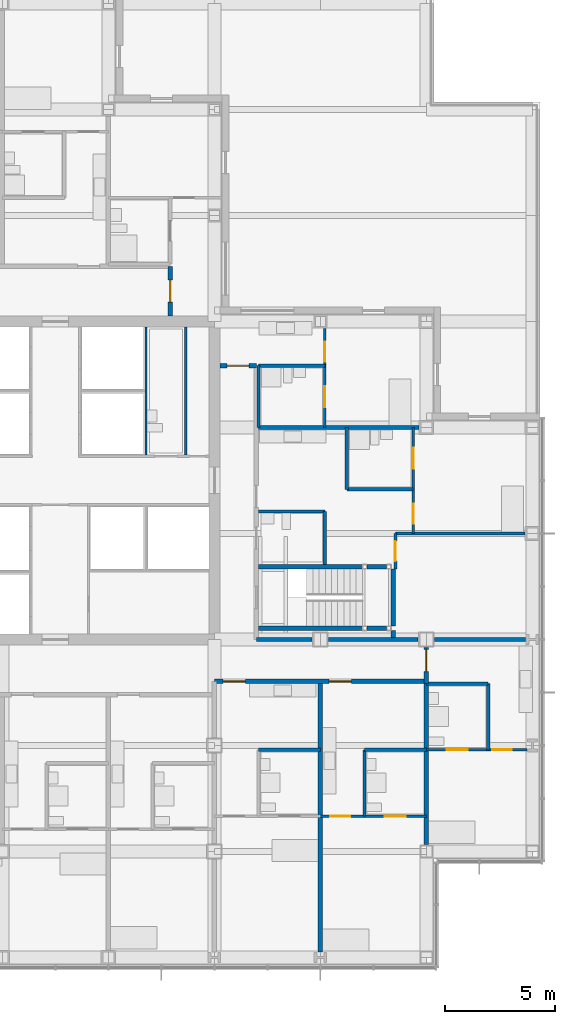
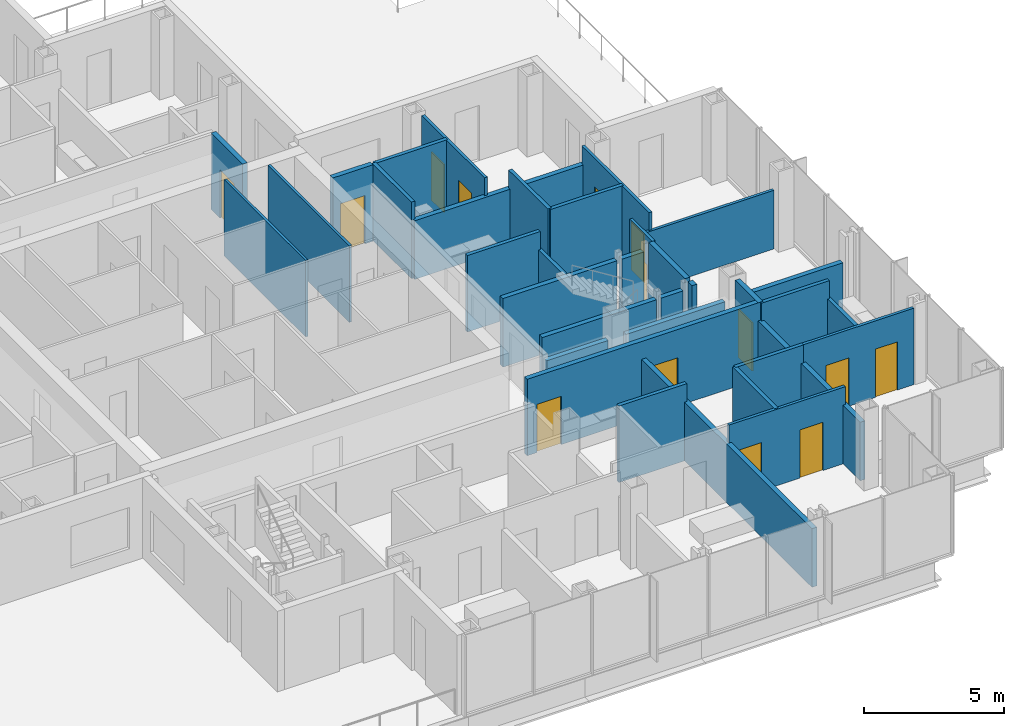
# One storey, part 14 of 19: 35 walls, 14 doors, 14 openings.
"""IFC4 building model written with IfcOpenShell, lengths in metres."""

from ifc_helpers import new_model, si_unit, direction, frame, frame_2d, origin, place, context, subcontext, project, spatial, rectangle, extrude, material, layer, layer_set, type_object, element, fill, save


model = new_model("IFC4")

# Units and contexts
model_context = context("Model", 3, precision=1e-05, world=origin(), true_north=direction((0.0, 1.0)))
body_context = subcontext(model_context, "Body", "Model", "MODEL_VIEW")
ifc_project = project(units=[si_unit("LENGTHUNIT", "METRE"), si_unit("AREAUNIT", "SQUARE_METRE"), si_unit("VOLUMEUNIT", "CUBIC_METRE"), si_unit("PLANEANGLEUNIT", "RADIAN"), si_unit("MASSUNIT", "GRAM", prefix="KILO")], contexts=[model_context])

# Site, building, storey
site_placement = place(None, origin())
site = spatial("IfcSite", under=ifc_project, at=site_placement, CompositionType="ELEMENT")
building_placement = place(site_placement, origin())
building = spatial("IfcBuilding", under=site, at=building_placement, Name="Kvirike Care Tower", CompositionType="ELEMENT")
storey_placement = place(building_placement, frame((0.0, 0.0, 84.0)))
storey = spatial("IfcBuildingStorey", under=building, at=storey_placement, Name="L22", CompositionType="ELEMENT", Elevation=84.0)

# Walls
ifc_material_1 = material(Name="Moisture-resistant board partition", Category="gypsum")
ifc_layer_1 = layer(ifc_material_1, 0.14990234375)
ifc_layer_set_1 = layer_set([ifc_layer_1], Name="BATHROOM WALL 150")
wall_type_1 = type_object("IfcWallType", Name="BATHROOM WALL 150", PredefinedType="PARTITIONING", material=ifc_layer_set_1)
wall_1_placement = place(storey_placement, frame((30.800048828125, 23.800048828125, 0.0), z_axis=(0.0, 0.0, 1.0), x_axis=(1.0, 0.0, 0.0)))
element("IfcWall", 1, at=wall_1_placement, inside=storey, type_object=wall_type_1, Name="Bathroom Wall 150 L22", PredefinedType="PARTITIONING", context=body_context, shape_type="SweptSolid", body=[
    extrude(rectangle(XDim=2.800048828125, YDim=0.14990234375, at=frame_2d((1.39990234375, 0.0))), origin(), (0.0, 0.0, 1.0), 3.330078125),
])
wall_2_placement = place(storey_placement, frame((35.60009765625, 20.800048828125, 0.0), z_axis=(0.0, 0.0, 1.0), x_axis=(0.0, 1.0, 0.0)))
element("IfcWall", 2, at=wall_2_placement, inside=storey, type_object=wall_type_1, Name="Bathroom Wall 150 L22", PredefinedType="PARTITIONING", context=body_context, shape_type="SweptSolid", body=[
    extrude(rectangle(XDim=3.0, YDim=0.14990234375, at=frame_2d((1.5, 0.0))), origin(), (0.0, 0.0, 1.0), 3.330078125),
])
wall_3_placement = place(storey_placement, frame((35.60009765625, 23.800048828125, 0.0), z_axis=(0.0, 0.0, 1.0), x_axis=(1.0, 0.0, 0.0)))
element("IfcWall", 3, at=wall_3_placement, inside=storey, type_object=wall_type_1, Name="Bathroom Wall 150 L22", PredefinedType="PARTITIONING", context=body_context, shape_type="SweptSolid", body=[
    extrude(rectangle(XDim=2.7998046875, YDim=0.14990234375, at=frame_2d((1.39990234375, 0.0))), origin(), (0.0, 0.0, 1.0), 3.330078125),
])
wall_4_placement = place(storey_placement, frame((41.199951171875, 23.800048828125, 0.0), z_axis=(0.0, 0.0, 1.0), x_axis=(0.0, 1.0, 0.0)))
element("IfcWall", 4, at=wall_4_placement, inside=storey, type_object=wall_type_1, Name="Bathroom Wall 150 L22", PredefinedType="PARTITIONING", context=body_context, shape_type="SweptSolid", body=[
    extrude(rectangle(XDim=3.0, YDim=0.14990234375, at=frame_2d((1.5, 0.0))), origin(), (0.0, 0.0, 1.0), 2.550048828125),
])
wall_5_placement = place(storey_placement, frame((38.39990234375, 26.800048828125, 0.0), z_axis=(0.0, 0.0, 1.0), x_axis=(1.0, 0.0, 0.0)))
element("IfcWall", 5, at=wall_5_placement, inside=storey, type_object=wall_type_1, Name="Bathroom Wall 150 L22", PredefinedType="PARTITIONING", context=body_context, shape_type="SweptSolid", body=[
    extrude(rectangle(XDim=2.800048828125, YDim=0.14990234375, at=frame_2d((1.39990234375, 0.0))), origin(), (0.0, 0.0, 1.0), 3.330078125),
])
wall_6_placement = place(storey_placement, frame((33.800048828125, 32.199951171875, 0.0), z_axis=(0.0, 0.0, 1.0), x_axis=(0.0, 1.0, 0.0)))
element("IfcWall", 6, at=wall_6_placement, inside=storey, type_object=wall_type_1, Name="Bathroom Wall 150 L22", PredefinedType="PARTITIONING", context=body_context, shape_type="SweptSolid", body=[
    extrude(rectangle(XDim=2.400146484375, YDim=0.14990234375, at=frame_2d((1.2001953125, 0.0))), origin(), (0.0, 0.0, 1.0), 2.550048828125),
])
for number, where, z_axis, x_axis, name in (
    (7, (33.800048828125, 34.60009765625, 0.0), (0.0, 0.0, 1.0), (-1.0, 0.0, 0.0), "Bathroom Wall 150 L22"),
    (8, (37.800048828125, 35.60009765625, 0.0), (0.0, 0.0, 1.0), (-1.0, 0.0, 0.0), "Bathroom Wall 150 L22"),
):
    element("IfcWall", number, at=place(storey_placement, frame(where, z_axis=z_axis, x_axis=x_axis)), inside=storey, type_object=wall_type_1, Name=name, PredefinedType="PARTITIONING", context=body_context, shape_type="SweptSolid", body=[
        extrude(rectangle(XDim=3.0, YDim=0.14990234375, at=frame_2d((1.5, 0.0))), origin(), (0.0, 0.0, 1.0), 3.330078125),
    ])
wall_7_placement = place(storey_placement, frame((34.800048828125, 35.60009765625, 0.0), z_axis=(0.0, 0.0, 1.0), x_axis=(0.0, 1.0, 0.0)))
element("IfcWall", 9, at=wall_7_placement, inside=storey, type_object=wall_type_1, Name="Bathroom Wall 150 L22", PredefinedType="PARTITIONING", context=body_context, shape_type="SweptSolid", body=[
    extrude(rectangle(XDim=2.7998046875, YDim=0.14990234375, at=frame_2d((1.39990234375, 0.0))), origin(), (0.0, 0.0, 1.0), 3.330078125),
])
wall_8_placement = place(storey_placement, frame((33.800048828125, 41.199951171875, 0.0), z_axis=(0.0, 0.0, 1.0), x_axis=(-1.0, 0.0, 0.0)))
element("IfcWall", 10, at=wall_8_placement, inside=storey, type_object=wall_type_1, Name="Bathroom Wall 150 L22", PredefinedType="PARTITIONING", context=body_context, shape_type="SweptSolid", body=[
    extrude(rectangle(XDim=3.0, YDim=0.14990234375, at=frame_2d((1.5, 0.0))), origin(), (0.0, 0.0, 1.0), 3.330078125),
])
wall_9_placement = place(storey_placement, frame((30.800048828125, 38.39990234375, 0.0), z_axis=(0.0, 0.0, 1.0), x_axis=(0.0, 1.0, 0.0)))
element("IfcWall", 11, at=wall_9_placement, inside=storey, type_object=wall_type_1, Name="Bathroom Wall 150 L22", PredefinedType="PARTITIONING", context=body_context, shape_type="SweptSolid", body=[
    extrude(rectangle(XDim=2.800048828125, YDim=0.14990234375, at=frame_2d((1.39990234375, 0.0))), origin(), (0.0, 0.0, 1.0), 3.330078125),
])

# Wall, openings, doors
ifc_material_2 = material(Name="Plasterboard corridor wall", Category="gypsum")
ifc_layer_2 = layer(ifc_material_2, 0.199951171875)
ifc_layer_set_2 = layer_set([ifc_layer_2], Name="CORRIDOR WALL 200")
wall_type_2 = type_object("IfcWallType", Name="CORRIDOR WALL 200", PredefinedType="PARTITIONING", material=ifc_layer_set_2)
wall_10_placement = place(storey_placement, frame((28.800048828125, 26.89990234375, 0.0), z_axis=(0.0, 0.0, 1.0), x_axis=(1.0, 0.0, 0.0)))
wall_10 = element("IfcWall", 12, at=wall_10_placement, inside=storey, type_object=wall_type_2, Name="Corridor Wall 200 L22", PredefinedType="PARTITIONING", context=body_context, shape_type="SweptSolid", body=[
    extrude(rectangle(XDim=9.599853515625, YDim=0.199951171875, at=frame_2d((4.7998046875, 0.0))), origin(), (0.0, 0.0, 1.0), 3.330078125),
])
opening_1_placement = place(wall_10_placement, frame((0.39990234375, 0.0, 0.0)))
opening_1 = element("IfcOpeningElement", 13, at=opening_1_placement, cuts=wall_10, Name="Opening 22-040", PredefinedType="OPENING", context=body_context, shape_type="SweptSolid", body=[
    extrude(rectangle(XDim=1.0, YDim=2.10009765625, at=frame_2d((0.5, 1.050048828125))), frame((0.0, 0.110595703125, 0.0), z_axis=(0.0, -1.0, 0.0), x_axis=(1.0, 0.0, 0.0)), (0.0, 0.0, 1.0), 0.220947265625),
])
opening_2_placement = place(wall_10_placement, frame((5.199951171875, 0.0, 0.0)))
opening_2 = element("IfcOpeningElement", 14, at=opening_2_placement, cuts=wall_10, Name="Opening 22-041", PredefinedType="OPENING", context=body_context, shape_type="SweptSolid", body=[
    extrude(rectangle(XDim=1.0, YDim=2.10009765625, at=frame_2d((0.5, 1.050048828125))), frame((0.0, 0.110595703125, 0.0), z_axis=(0.0, -1.0, 0.0), x_axis=(1.0, 0.0, 0.0)), (0.0, 0.0, 1.0), 0.220947265625),
])
ifc_material_3 = material(Name="Timber door set", Category="wood")
door_type_1 = type_object("IfcDoorType", Name="FLAT ENTRANCE DOOR 1000", OperationType="SINGLE_SWING_LEFT", PredefinedType="DOOR", material=ifc_material_3)
door_1_placement = place(opening_1_placement, frame((1.0, 0.0, 0.0), z_axis=(0.0, 0.0, 1.0), x_axis=(-1.0, 0.0, 0.0)))
door_1 = element("IfcDoor", 15, at=door_1_placement, inside=storey, type_object=door_type_1, Name="Assisted living suite entrance", OperationType="SINGLE_SWING_RIGHT", OverallHeight=2.10009765625, OverallWidth=1.0, PredefinedType="DOOR", context=body_context, shape_type="SweptSolid", body=[
    extrude(rectangle(XDim=1.0, YDim=2.10009765625, at=frame_2d((0.5, 1.050048828125))), frame((0.0, 0.02685546875, 0.0), z_axis=(0.0, -1.0, 0.0), x_axis=(1.0, 0.0, 0.0)), (0.0, 0.0, 1.0), 0.053955078125),
])
fill(opening_1, door_1)
door_2_placement = place(opening_2_placement, frame((1.0, 0.0, 0.0), z_axis=(0.0, 0.0, 1.0), x_axis=(-1.0, 0.0, 0.0)))
door_2 = element("IfcDoor", 16, at=door_2_placement, inside=storey, type_object=door_type_1, Name="Assisted living suite entrance", OperationType="SINGLE_SWING_LEFT", OverallHeight=2.10009765625, OverallWidth=1.0, PredefinedType="DOOR", context=body_context, shape_type="SweptSolid", body=[
    extrude(rectangle(XDim=1.0, YDim=2.10009765625, at=frame_2d((0.5, 1.050048828125))), frame((0.0, 0.02685546875, 0.0), z_axis=(0.0, -1.0, 0.0), x_axis=(1.0, 0.0, 0.0)), (0.0, 0.0, 1.0), 0.053955078125),
])
fill(opening_2, door_2)

# Wall, opening, door
wall_11_placement = place(storey_placement, frame((38.39990234375, 26.800048828125, 0.0), z_axis=(0.0, 0.0, 1.0), x_axis=(0.0, 1.0, 0.0)))
wall_11 = element("IfcWall", 17, at=wall_11_placement, inside=storey, type_object=wall_type_2, Name="Corridor Wall 200 L22", PredefinedType="PARTITIONING", context=body_context, shape_type="SweptSolid", body=[
    extrude(rectangle(XDim=1.6298828125, YDim=0.199951171875, at=frame_2d((0.81494140625, 0.0))), origin(), (0.0, 0.0, 1.0), 3.330078125),
])
opening_3_placement = place(wall_11_placement, frame((0.550048828125, 0.0, 0.0)))
opening_3 = element("IfcOpeningElement", 18, at=opening_3_placement, cuts=wall_11, Name="Opening 22-042", PredefinedType="OPENING", context=body_context, shape_type="SweptSolid", body=[
    extrude(rectangle(XDim=1.0, YDim=2.10009765625, at=frame_2d((0.5, 1.050048828125))), frame((0.0, 0.110595703125, 0.0), z_axis=(0.0, -1.0, 0.0), x_axis=(1.0, 0.0, 0.0)), (0.0, 0.0, 1.0), 0.220947265625),
])
door_3_placement = place(opening_3_placement, frame((1.0, 0.0, 0.0), z_axis=(0.0, 0.0, 1.0), x_axis=(-1.0, 0.0, 0.0)))
door_3 = element("IfcDoor", 19, at=door_3_placement, inside=storey, type_object=door_type_1, Name="Assisted living suite entrance", OperationType="SINGLE_SWING_RIGHT", OverallHeight=2.10009765625, OverallWidth=1.0, PredefinedType="DOOR", context=body_context, shape_type="SweptSolid", body=[
    extrude(rectangle(XDim=1.0, YDim=2.10009765625, at=frame_2d((0.5, 1.050048828125))), frame((0.0, 0.02685546875, 0.0), z_axis=(0.0, -1.0, 0.0), x_axis=(1.0, 0.0, 0.0)), (0.0, 0.0, 1.0), 0.053955078125),
])
fill(opening_3, door_3)

wall_12_placement = place(storey_placement, frame((26.800048828125, 45.699951171875, 0.0), z_axis=(0.0, 0.0, 1.0), x_axis=(0.0, -1.0, 0.0)))
wall_12 = element("IfcWall", 20, at=wall_12_placement, inside=storey, type_object=wall_type_2, Name="Corridor Wall 200 L22", PredefinedType="PARTITIONING", context=body_context, shape_type="SweptSolid", body=[
    extrude(rectangle(XDim=2.25, YDim=0.199951171875, at=frame_2d((1.125, 0.0))), origin(), (0.0, 0.0, 1.0), 3.330078125),
])
opening_4_placement = place(wall_12_placement, frame((0.625, 0.0, 0.0)))
opening_4 = element("IfcOpeningElement", 21, at=opening_4_placement, cuts=wall_12, Name="Opening 22-065", PredefinedType="OPENING", context=body_context, shape_type="SweptSolid", body=[
    extrude(rectangle(XDim=1.0, YDim=2.10009765625, at=frame_2d((0.5, 1.050048828125))), frame((0.0, 0.110595703125, 0.0), z_axis=(0.0, -1.0, 0.0), x_axis=(1.0, 0.0, 0.0)), (0.0, 0.0, 1.0), 0.220947265625),
])
door_4_placement = place(opening_4_placement, origin())
door_4 = element("IfcDoor", 22, at=door_4_placement, inside=storey, type_object=door_type_1, Name="Care base entrance", OperationType="SINGLE_SWING_LEFT", OverallHeight=2.10009765625, OverallWidth=1.0, PredefinedType="DOOR", context=body_context, shape_type="SweptSolid", body=[
    extrude(rectangle(XDim=1.0, YDim=2.10009765625, at=frame_2d((0.5, 1.050048828125))), frame((0.0, 0.02685546875, 0.0), z_axis=(0.0, -1.0, 0.0), x_axis=(1.0, 0.0, 0.0)), (0.0, 0.0, 1.0), 0.053955078125),
])
fill(opening_4, door_4)

wall_13_placement = place(storey_placement, frame((30.699951171875, 41.199951171875, 0.0), z_axis=(0.0, 0.0, 1.0), x_axis=(-1.0, 0.0, 0.0)))
wall_13 = element("IfcWall", 23, at=wall_13_placement, inside=storey, type_object=wall_type_2, Name="Corridor Wall 200 L22", PredefinedType="PARTITIONING", context=body_context, shape_type="SweptSolid", body=[
    extrude(rectangle(XDim=1.64990234375, YDim=0.199951171875, at=frame_2d((0.824951171875, 0.0))), origin(), (0.0, 0.0, 1.0), 3.330078125),
])
opening_5_placement = place(wall_13_placement, frame((0.324951171875, 0.0, 0.0)))
opening_5 = element("IfcOpeningElement", 24, at=opening_5_placement, cuts=wall_13, Name="Opening 22-066", PredefinedType="OPENING", context=body_context, shape_type="SweptSolid", body=[
    extrude(rectangle(XDim=1.0, YDim=2.10009765625, at=frame_2d((0.5, 1.050048828125))), frame((0.0, 0.110595703125, 0.0), z_axis=(0.0, -1.0, 0.0), x_axis=(1.0, 0.0, 0.0)), (0.0, 0.0, 1.0), 0.220947265625),
])
door_5_placement = place(opening_5_placement, frame((1.0, 0.0, 0.0), z_axis=(0.0, 0.0, 1.0), x_axis=(-1.0, 0.0, 0.0)))
door_5 = element("IfcDoor", 25, at=door_5_placement, inside=storey, type_object=door_type_1, Name="Assisted living suite entrance", OperationType="SINGLE_SWING_RIGHT", OverallHeight=2.10009765625, OverallWidth=1.0, PredefinedType="DOOR", context=body_context, shape_type="SweptSolid", body=[
    extrude(rectangle(XDim=1.0, YDim=2.10009765625, at=frame_2d((0.5, 1.050048828125))), frame((0.0, 0.02685546875, 0.0), z_axis=(0.0, -1.0, 0.0), x_axis=(1.0, 0.0, 0.0)), (0.0, 0.0, 1.0), 0.053955078125),
])
fill(opening_5, door_5)

# Wall, openings, doors
ifc_material_4 = material(Name="Plasterboard partition", Category="gypsum")
ifc_layer_3 = layer(ifc_material_4, 0.1201171875)
ifc_layer_set_3 = layer_set([ifc_layer_3], Name="PARTITION 120")
wall_type_3 = type_object("IfcWallType", Name="PARTITION 120", PredefinedType="PARTITIONING", material=ifc_layer_set_3)
wall_14_placement = place(storey_placement, frame((33.60009765625, 20.800048828125, 0.0), z_axis=(0.0, 0.0, 1.0), x_axis=(1.0, 0.0, 0.0)))
wall_14 = element("IfcWall", 26, at=wall_14_placement, inside=storey, type_object=wall_type_3, Name="Partition 120 L22", PredefinedType="PARTITIONING", context=body_context, shape_type="SweptSolid", body=[
    extrude(rectangle(XDim=4.7998046875, YDim=0.1201171875, at=frame_2d((2.39990234375, 0.0))), origin(), (0.0, 0.0, 1.0), 3.330078125),
])
opening_6_placement = place(wall_14_placement, frame((0.449951171875, 0.0, 0.0)))
opening_6 = element("IfcOpeningElement", 27, at=opening_6_placement, cuts=wall_14, Name="Opening 22-036", PredefinedType="OPENING", context=body_context, shape_type="SweptSolid", body=[
    extrude(rectangle(XDim=0.89990234375, YDim=2.10009765625, at=frame_2d((0.449951171875, 1.050048828125))), frame((0.0, 0.070556640625, 0.0), z_axis=(0.0, -1.0, 0.0), x_axis=(1.0, 0.0, 0.0)), (0.0, 0.0, 1.0), 0.14111328125),
])
opening_7_placement = place(wall_14_placement, frame((2.925048828125, 0.0, 0.0)))
opening_7 = element("IfcOpeningElement", 28, at=opening_7_placement, cuts=wall_14, Name="Opening 22-037", PredefinedType="OPENING", context=body_context, shape_type="SweptSolid", body=[
    extrude(rectangle(XDim=0.949951171875, YDim=2.10009765625, at=frame_2d((0.47509765625, 1.050048828125))), frame((0.0, 0.070556640625, 0.0), z_axis=(0.0, -1.0, 0.0), x_axis=(1.0, 0.0, 0.0)), (0.0, 0.0, 1.0), 0.14111328125),
])
ifc_material_5 = material(Name="Timber door set", Category="wood")
door_type_2 = type_object("IfcDoorType", Name="EN-SUITE SLIDING DOOR 950", OperationType="SLIDING_TO_LEFT", PredefinedType="DOOR", material=ifc_material_5)
door_6_placement = place(opening_7_placement, origin())
door_6 = element("IfcDoor", 29, at=door_6_placement, inside=storey, type_object=door_type_2, Name="En-suite door", OperationType="SLIDING_TO_RIGHT", OverallHeight=2.10009765625, OverallWidth=0.949951171875, PredefinedType="DOOR", context=body_context, shape_type="SweptSolid", body=[
    extrude(rectangle(XDim=0.949951171875, YDim=2.10009765625, at=frame_2d((0.47509765625, 1.050048828125))), frame((0.0, 0.02197265625, 0.0), z_axis=(0.0, -1.0, 0.0), x_axis=(1.0, 0.0, 0.0)), (0.0, 0.0, 1.0), 0.0439453125),
])
fill(opening_7, door_6)
ifc_material_6 = material(Name="Timber door set", Category="wood")
door_type_3 = type_object("IfcDoorType", Name="INTERNAL DOOR 900", OperationType="SINGLE_SWING_LEFT", PredefinedType="DOOR", material=ifc_material_6)
door_7_placement = place(opening_6_placement, origin())
door_7 = element("IfcDoor", 30, at=door_7_placement, inside=storey, type_object=door_type_3, Name="Assisted living suite door", OperationType="SINGLE_SWING_RIGHT", OverallHeight=2.10009765625, OverallWidth=0.89990234375, PredefinedType="DOOR", context=body_context, shape_type="SweptSolid", body=[
    extrude(rectangle(XDim=0.89990234375, YDim=2.10009765625, at=frame_2d((0.449951171875, 1.050048828125))), frame((0.0, 0.02197265625, 0.0), z_axis=(0.0, -1.0, 0.0), x_axis=(1.0, 0.0, 0.0)), (0.0, 0.0, 1.0), 0.0439453125),
])
fill(opening_6, door_7)

wall_15_placement = place(storey_placement, frame((38.39990234375, 23.800048828125, 0.0), z_axis=(0.0, 0.0, 1.0), x_axis=(1.0, 0.0, 0.0)))
wall_15 = element("IfcWall", 31, at=wall_15_placement, inside=storey, type_object=wall_type_3, Name="Partition 120 L22", PredefinedType="PARTITIONING", context=body_context, shape_type="SweptSolid", body=[
    extrude(rectangle(XDim=4.552978515625, YDim=0.1201171875, at=frame_2d((2.2763671875, 0.0))), origin(), (0.0, 0.0, 1.0), 3.330078125),
])
opening_8_placement = place(wall_15_placement, frame((2.97509765625, 0.0, 0.0)))
opening_8 = element("IfcOpeningElement", 32, at=opening_8_placement, cuts=wall_15, Name="Opening 22-038", PredefinedType="OPENING", context=body_context, shape_type="SweptSolid", body=[
    extrude(rectangle(XDim=0.89990234375, YDim=2.10009765625, at=frame_2d((0.449951171875, 1.050048828125))), frame((0.0, 0.070556640625, 0.0), z_axis=(0.0, -1.0, 0.0), x_axis=(1.0, 0.0, 0.0)), (0.0, 0.0, 1.0), 0.14111328125),
])
opening_9_placement = place(wall_15_placement, frame((0.925048828125, 0.0, 0.0)))
opening_9 = element("IfcOpeningElement", 33, at=opening_9_placement, cuts=wall_15, Name="Opening 22-039", PredefinedType="OPENING", context=body_context, shape_type="SweptSolid", body=[
    extrude(rectangle(XDim=0.949951171875, YDim=2.10009765625, at=frame_2d((0.47509765625, 1.050048828125))), frame((0.0, 0.070556640625, 0.0), z_axis=(0.0, -1.0, 0.0), x_axis=(1.0, 0.0, 0.0)), (0.0, 0.0, 1.0), 0.14111328125),
])
door_8_placement = place(opening_9_placement, origin())
door_8 = element("IfcDoor", 34, at=door_8_placement, inside=storey, type_object=door_type_2, Name="En-suite door", OperationType="SLIDING_TO_RIGHT", OverallHeight=2.10009765625, OverallWidth=0.949951171875, PredefinedType="DOOR", context=body_context, shape_type="SweptSolid", body=[
    extrude(rectangle(XDim=0.949951171875, YDim=2.10009765625, at=frame_2d((0.47509765625, 1.050048828125))), frame((0.0, 0.02197265625, 0.0), z_axis=(0.0, -1.0, 0.0), x_axis=(1.0, 0.0, 0.0)), (0.0, 0.0, 1.0), 0.0439453125),
])
fill(opening_9, door_8)
door_9_placement = place(opening_8_placement, origin())
door_9 = element("IfcDoor", 35, at=door_9_placement, inside=storey, type_object=door_type_3, Name="Assisted living suite door", OperationType="SINGLE_SWING_RIGHT", OverallHeight=2.10009765625, OverallWidth=0.89990234375, PredefinedType="DOOR", context=body_context, shape_type="SweptSolid", body=[
    extrude(rectangle(XDim=0.89990234375, YDim=2.10009765625, at=frame_2d((0.449951171875, 1.050048828125))), frame((0.0, 0.02197265625, 0.0), z_axis=(0.0, -1.0, 0.0), x_axis=(1.0, 0.0, 0.0)), (0.0, 0.0, 1.0), 0.0439453125),
])
fill(opening_8, door_9)

# Wall, opening, door
wall_16_placement = place(storey_placement, frame((37.0, 32.0, 0.0), z_axis=(0.0, 0.0, 1.0), x_axis=(0.0, 1.0, 0.0)))
wall_16 = element("IfcWall", 36, at=wall_16_placement, inside=storey, type_object=wall_type_3, Name="Partition 120 L22", PredefinedType="PARTITIONING", context=body_context, shape_type="SweptSolid", body=[
    extrude(rectangle(XDim=1.60009765625, YDim=0.1201171875, at=frame_2d((0.800048828125, 0.0))), origin(), (0.0, 0.0, 1.0), 3.330078125),
])
opening_10_placement = place(wall_16_placement, frame((0.35009765625, 0.0, 0.0)))
opening_10 = element("IfcOpeningElement", 37, at=opening_10_placement, cuts=wall_16, Name="Opening 22-043", PredefinedType="OPENING", context=body_context, shape_type="SweptSolid", body=[
    extrude(rectangle(XDim=0.89990234375, YDim=2.10009765625, at=frame_2d((0.449951171875, 1.050048828125))), frame((0.0, 0.070556640625, 0.0), z_axis=(0.0, -1.0, 0.0), x_axis=(1.0, 0.0, 0.0)), (0.0, 0.0, 1.0), 0.14111328125),
])
door_10_placement = place(opening_10_placement, origin())
door_10 = element("IfcDoor", 38, at=door_10_placement, inside=storey, type_object=door_type_3, Name="Suite sitting room door", OperationType="SINGLE_SWING_RIGHT", OverallHeight=2.10009765625, OverallWidth=0.89990234375, PredefinedType="DOOR", context=body_context, shape_type="SweptSolid", body=[
    extrude(rectangle(XDim=0.89990234375, YDim=2.10009765625, at=frame_2d((0.449951171875, 1.050048828125))), frame((0.0, 0.02197265625, 0.0), z_axis=(0.0, -1.0, 0.0), x_axis=(1.0, 0.0, 0.0)), (0.0, 0.0, 1.0), 0.0439453125),
])
fill(opening_10, door_10)

# Wall, openings, doors
wall_17_placement = place(storey_placement, frame((37.800048828125, 33.60009765625, 0.0), z_axis=(0.0, 0.0, 1.0), x_axis=(0.0, 1.0, 0.0)))
wall_17 = element("IfcWall", 39, at=wall_17_placement, inside=storey, type_object=wall_type_3, Name="Partition 120 L22", PredefinedType="PARTITIONING", context=body_context, shape_type="SweptSolid", body=[
    extrude(rectangle(XDim=4.7998046875, YDim=0.1201171875, at=frame_2d((2.39990234375, 0.0))), origin(), (0.0, 0.0, 1.0), 3.330078125),
])
opening_11_placement = place(wall_17_placement, frame((0.449951171875, 0.0, 0.0)))
opening_11 = element("IfcOpeningElement", 40, at=opening_11_placement, cuts=wall_17, Name="Opening 22-044", PredefinedType="OPENING", context=body_context, shape_type="SweptSolid", body=[
    extrude(rectangle(XDim=0.89990234375, YDim=2.10009765625, at=frame_2d((0.449951171875, 1.050048828125))), frame((0.0, 0.070556640625, 0.0), z_axis=(0.0, -1.0, 0.0), x_axis=(1.0, 0.0, 0.0)), (0.0, 0.0, 1.0), 0.14111328125),
])
opening_12_placement = place(wall_17_placement, frame((2.925048828125, 0.0, 0.0)))
opening_12 = element("IfcOpeningElement", 41, at=opening_12_placement, cuts=wall_17, Name="Opening 22-045", PredefinedType="OPENING", context=body_context, shape_type="SweptSolid", body=[
    extrude(rectangle(XDim=0.949951171875, YDim=2.10009765625, at=frame_2d((0.47509765625, 1.050048828125))), frame((0.0, 0.070556640625, 0.0), z_axis=(0.0, -1.0, 0.0), x_axis=(1.0, 0.0, 0.0)), (0.0, 0.0, 1.0), 0.14111328125),
])
door_11_placement = place(opening_12_placement, origin())
door_11 = element("IfcDoor", 42, at=door_11_placement, inside=storey, type_object=door_type_2, Name="En-suite door", OperationType="SLIDING_TO_LEFT", OverallHeight=2.10009765625, OverallWidth=0.949951171875, PredefinedType="DOOR", context=body_context, shape_type="SweptSolid", body=[
    extrude(rectangle(XDim=0.949951171875, YDim=2.10009765625, at=frame_2d((0.47509765625, 1.050048828125))), frame((0.0, 0.02197265625, 0.0), z_axis=(0.0, -1.0, 0.0), x_axis=(1.0, 0.0, 0.0)), (0.0, 0.0, 1.0), 0.0439453125),
])
fill(opening_12, door_11)
door_12_placement = place(opening_11_placement, frame((0.89990234375, 0.0, 0.0), z_axis=(0.0, 0.0, 1.0), x_axis=(-1.0, 0.0, 0.0)))
door_12 = element("IfcDoor", 43, at=door_12_placement, inside=storey, type_object=door_type_3, Name="Assisted living suite door", OperationType="SINGLE_SWING_LEFT", OverallHeight=2.10009765625, OverallWidth=0.89990234375, PredefinedType="DOOR", context=body_context, shape_type="SweptSolid", body=[
    extrude(rectangle(XDim=0.89990234375, YDim=2.10009765625, at=frame_2d((0.449951171875, 1.050048828125))), frame((0.0, 0.02197265625, 0.0), z_axis=(0.0, -1.0, 0.0), x_axis=(1.0, 0.0, 0.0)), (0.0, 0.0, 1.0), 0.0439453125),
])
fill(opening_11, door_12)

# Wall
wall_18_placement = place(storey_placement, frame((42.85498046875, 33.60009765625, 0.0), z_axis=(0.0, 0.0, 1.0), x_axis=(-1.0, 0.0, 0.0)))
element("IfcWall", 44, at=wall_18_placement, inside=storey, type_object=wall_type_3, Name="Partition 120 L22", PredefinedType="PARTITIONING", context=body_context, shape_type="SweptSolid", body=[
    extrude(rectangle(XDim=5.85498046875, YDim=0.1201171875, at=frame_2d((2.927490234375, 0.0))), origin(), (0.0, 0.0, 1.0), 2.550048828125),
])

# Wall, openings, doors
wall_19_placement = place(storey_placement, frame((33.800048828125, 38.39990234375, 0.0), z_axis=(0.0, 0.0, 1.0), x_axis=(0.0, 1.0, 0.0)))
wall_19 = element("IfcWall", 45, at=wall_19_placement, inside=storey, type_object=wall_type_3, Name="Partition 120 L22", PredefinedType="PARTITIONING", context=body_context, shape_type="SweptSolid", body=[
    extrude(rectangle(XDim=4.47998046875, YDim=0.1201171875, at=frame_2d((2.239990234375, 0.0))), origin(), (0.0, 0.0, 1.0), 3.330078125),
])
opening_13_placement = place(wall_19_placement, frame((2.97509765625, 0.0, 0.0)))
opening_13 = element("IfcOpeningElement", 46, at=opening_13_placement, cuts=wall_19, Name="Opening 22-046", PredefinedType="OPENING", context=body_context, shape_type="SweptSolid", body=[
    extrude(rectangle(XDim=0.89990234375, YDim=2.10009765625, at=frame_2d((0.449951171875, 1.050048828125))), frame((0.0, 0.070556640625, 0.0), z_axis=(0.0, -1.0, 0.0), x_axis=(1.0, 0.0, 0.0)), (0.0, 0.0, 1.0), 0.14111328125),
])
opening_14_placement = place(wall_19_placement, frame((0.925048828125, 0.0, 0.0)))
opening_14 = element("IfcOpeningElement", 47, at=opening_14_placement, cuts=wall_19, Name="Opening 22-047", PredefinedType="OPENING", context=body_context, shape_type="SweptSolid", body=[
    extrude(rectangle(XDim=0.949951171875, YDim=2.10009765625, at=frame_2d((0.47509765625, 1.050048828125))), frame((0.0, 0.070556640625, 0.0), z_axis=(0.0, -1.0, 0.0), x_axis=(1.0, 0.0, 0.0)), (0.0, 0.0, 1.0), 0.14111328125),
])
door_13_placement = place(opening_14_placement, origin())
door_13 = element("IfcDoor", 48, at=door_13_placement, inside=storey, type_object=door_type_2, Name="En-suite door", OperationType="SLIDING_TO_RIGHT", OverallHeight=2.10009765625, OverallWidth=0.949951171875, PredefinedType="DOOR", context=body_context, shape_type="SweptSolid", body=[
    extrude(rectangle(XDim=0.949951171875, YDim=2.10009765625, at=frame_2d((0.47509765625, 1.050048828125))), frame((0.0, 0.02197265625, 0.0), z_axis=(0.0, -1.0, 0.0), x_axis=(1.0, 0.0, 0.0)), (0.0, 0.0, 1.0), 0.0439453125),
])
fill(opening_14, door_13)
door_14_placement = place(opening_13_placement, origin())
door_14 = element("IfcDoor", 49, at=door_14_placement, inside=storey, type_object=door_type_3, Name="Assisted living suite door", OperationType="SINGLE_SWING_RIGHT", OverallHeight=2.10009765625, OverallWidth=0.89990234375, PredefinedType="DOOR", context=body_context, shape_type="SweptSolid", body=[
    extrude(rectangle(XDim=0.89990234375, YDim=2.10009765625, at=frame_2d((0.449951171875, 1.050048828125))), frame((0.0, 0.02197265625, 0.0), z_axis=(0.0, -1.0, 0.0), x_axis=(1.0, 0.0, 0.0)), (0.0, 0.0, 1.0), 0.0439453125),
])
fill(opening_13, door_14)

# Walls
ifc_material_7 = material(Name="Plasterboard party wall", Category="gypsum")
ifc_layer_4 = layer(ifc_material_7, 0.199951171875)
ifc_layer_set_4 = layer_set([ifc_layer_4], Name="PARTY WALL 200")
wall_type_4 = type_object("IfcWallType", Name="PARTY WALL 200", PredefinedType="PARTITIONING", material=ifc_layer_set_4)
wall_20_placement = place(storey_placement, frame((33.60009765625, 14.64697265625, 0.0), z_axis=(0.0, 0.0, 1.0), x_axis=(0.0, 1.0, 0.0)))
element("IfcWall", 50, at=wall_20_placement, inside=storey, type_object=wall_type_4, Name="Party Wall 200 L22", PredefinedType="PARTITIONING", context=body_context, shape_type="SweptSolid", body=[
    extrude(rectangle(XDim=12.153076171875, YDim=0.199951171875, at=frame_2d((6.07666015625, 0.0))), origin(), (0.0, 0.0, 1.0), 2.550048828125),
])
wall_21_placement = place(storey_placement, frame((38.39990234375, 19.52001953125, 0.0), z_axis=(0.0, 0.0, 1.0), x_axis=(0.0, 1.0, 0.0)))
element("IfcWall", 51, at=wall_21_placement, inside=storey, type_object=wall_type_4, Name="Party Wall 200 L22", PredefinedType="PARTITIONING", context=body_context, shape_type="SweptSolid", body=[
    extrude(rectangle(XDim=7.280029296875, YDim=0.199951171875, at=frame_2d((3.64013671875, 0.0))), origin(), (0.0, 0.0, 1.0), 2.550048828125),
])
wall_22_placement = place(storey_placement, frame((38.054931640625, 38.39990234375, 0.0), z_axis=(0.0, 0.0, 1.0), x_axis=(-1.0, 0.0, 0.0)))
element("IfcWall", 52, at=wall_22_placement, inside=storey, type_object=wall_type_4, Name="Party Wall 200 L22", PredefinedType="PARTITIONING", context=body_context, shape_type="SweptSolid", body=[
    extrude(rectangle(XDim=7.2548828125, YDim=0.199951171875, at=frame_2d((3.62744140625, 0.0))), origin(), (0.0, 0.0, 1.0), 2.550048828125),
])
wall_23_placement = place(storey_placement, frame((42.8955078125, 28.800048828125, 0.0), z_axis=(0.0, 0.0, 1.0), x_axis=(-1.0, 0.0, 0.0)))
element("IfcWall", 53, at=wall_23_placement, inside=storey, type_object=wall_type_4, Name="Party Wall 200 L22", PredefinedType="PARTITIONING", context=body_context, shape_type="SweptSolid", body=[
    extrude(rectangle(XDim=4.12548828125, YDim=0.199951171875, at=frame_2d((2.062744140625, 0.0))), origin(), (0.0, 0.0, 1.0), 2.320068359375),
])
wall_24_placement = place(storey_placement, frame((38.030029296875, 28.800048828125, 0.0), z_axis=(0.0, 0.0, 1.0), x_axis=(-1.0, 0.0, 0.0)))
element("IfcWall", 54, at=wall_24_placement, inside=storey, type_object=wall_type_4, Name="Party Wall 200 L22", PredefinedType="PARTITIONING", context=body_context, shape_type="SweptSolid", body=[
    extrude(rectangle(XDim=4.06005859375, YDim=0.199951171875, at=frame_2d((2.030029296875, 0.0))), origin(), (0.0, 0.0, 1.0), 2.320068359375),
])
wall_25_placement = place(storey_placement, frame((33.22998046875, 28.800048828125, 0.0), z_axis=(0.0, 0.0, 1.0), x_axis=(-1.0, 0.0, 0.0)))
element("IfcWall", 55, at=wall_25_placement, inside=storey, type_object=wall_type_4, Name="Party Wall 200 L22", PredefinedType="PARTITIONING", context=body_context, shape_type="SweptSolid", body=[
    extrude(rectangle(XDim=2.530029296875, YDim=0.199951171875, at=frame_2d((1.26513671875, 0.0))), origin(), (0.0, 0.0, 1.0), 2.320068359375),
])
ifc_material_8 = material(Name="Gypsum shaft wall system", Category="gypsum")
ifc_layer_5 = layer(ifc_material_8, 0.10009765625)
ifc_layer_set_5 = layer_set([ifc_layer_5], Name="SHAFT WALL 100")
wall_type_5 = type_object("IfcWallType", Name="SHAFT WALL 100", PredefinedType="SOLIDWALL", material=ifc_layer_set_5)
for number, where, z_axis, x_axis, name in (
    (56, (27.5, 37.14990234375, 0.0), (0.0, 0.0, 1.0), (0.0, 1.0, 0.0), "Shaft Wall 100 L22"),
    (57, (25.699951171875, 37.14990234375, 0.0), (0.0, 0.0, 1.0), (0.0, 1.0, 0.0), "Shaft Wall 100 L22"),
):
    element("IfcWall", number, at=place(storey_placement, frame(where, z_axis=z_axis, x_axis=x_axis)), inside=storey, type_object=wall_type_5, Name=name, PredefinedType="SOLIDWALL", context=body_context, shape_type="SweptSolid", body=[
        extrude(rectangle(XDim=5.800048828125, YDim=0.10009765625, at=frame_2d((2.89990234375, 0.0))), origin(), (0.0, 0.0, 1.0), 3.330078125),
    ])
ifc_material_9 = material(Name="Concrete C40/50", Category="concrete")
ifc_layer_6 = layer(ifc_material_9, 0.199951171875)
ifc_layer_set_6 = layer_set([ifc_layer_6], Name="STAIR WALL 200")
wall_type_6 = type_object("IfcWallType", Name="STAIR WALL 200", PredefinedType="SOLIDWALL", material=ifc_layer_set_6)
wall_26_placement = place(storey_placement, frame((36.60009765625, 29.300048828125, 0.0), z_axis=(0.0, 0.0, 1.0), x_axis=(-1.0, 0.0, 0.0)))
element("IfcWall", 58, at=wall_26_placement, inside=storey, type_object=wall_type_6, Name="Stair Wall 200 L22", PredefinedType="SOLIDWALL", context=body_context, shape_type="SweptSolid", body=[
    extrude(rectangle(XDim=0.900146484375, YDim=0.199951171875, at=frame_2d((0.4501953125, 0.0))), origin(), (0.0, 0.0, 1.0), 2.989990234375),
])
wall_27_placement = place(storey_placement, frame((35.5, 29.300048828125, 0.0), z_axis=(0.0, 0.0, 1.0), x_axis=(-1.0, 0.0, 0.0)))
element("IfcWall", 59, at=wall_27_placement, inside=storey, type_object=wall_type_6, Name="Stair Wall 200 L22", PredefinedType="SOLIDWALL", context=body_context, shape_type="SweptSolid", body=[
    extrude(rectangle(XDim=4.699951171875, YDim=0.199951171875, at=frame_2d((2.35009765625, 0.0))), origin(), (0.0, 0.0, 1.0), 2.989990234375),
])
wall_28_placement = place(storey_placement, frame((36.60009765625, 32.10009765625, 0.0), z_axis=(0.0, 0.0, 1.0), x_axis=(-1.0, 0.0, 0.0)))
element("IfcWall", 60, at=wall_28_placement, inside=storey, type_object=wall_type_6, Name="Stair Wall 200 L22", PredefinedType="SOLIDWALL", context=body_context, shape_type="SweptSolid", body=[
    extrude(rectangle(XDim=0.900146484375, YDim=0.199951171875, at=frame_2d((0.4501953125, 0.0))), origin(), (0.0, 0.0, 1.0), 2.989990234375),
])
wall_29_placement = place(storey_placement, frame((35.5, 32.10009765625, 0.0), z_axis=(0.0, 0.0, 1.0), x_axis=(-1.0, 0.0, 0.0)))
element("IfcWall", 61, at=wall_29_placement, inside=storey, type_object=wall_type_6, Name="Stair Wall 200 L22", PredefinedType="SOLIDWALL", context=body_context, shape_type="SweptSolid", body=[
    extrude(rectangle(XDim=4.699951171875, YDim=0.199951171875, at=frame_2d((2.35009765625, 0.0))), origin(), (0.0, 0.0, 1.0), 2.989990234375),
])
wall_30_placement = place(storey_placement, frame((36.89990234375, 28.89990234375, 0.0), z_axis=(0.0, 0.0, 1.0), x_axis=(0.0, 1.0, 0.0)))
element("IfcWall", 62, at=wall_30_placement, inside=storey, type_object=wall_type_6, Name="Stair Wall 200 L22", PredefinedType="SOLIDWALL", context=body_context, shape_type="SweptSolid", body=[
    extrude(rectangle(XDim=0.300048828125, YDim=0.199951171875, at=frame_2d((0.14990234375, 0.0))), origin(), (0.0, 0.0, 1.0), 3.330078125),
])
wall_31_placement = place(storey_placement, frame((36.89990234375, 29.39990234375, 0.0), z_axis=(0.0, 0.0, 1.0), x_axis=(0.0, 1.0, 0.0)))
element("IfcWall", 63, at=wall_31_placement, inside=storey, type_object=wall_type_6, Name="Stair Wall 200 L22", PredefinedType="SOLIDWALL", context=body_context, shape_type="SweptSolid", body=[
    extrude(rectangle(XDim=2.60009765625, YDim=0.199951171875, at=frame_2d((1.300048828125, 0.0))), origin(), (0.0, 0.0, 1.0), 3.330078125),
])

save(model, "model.ifc")
